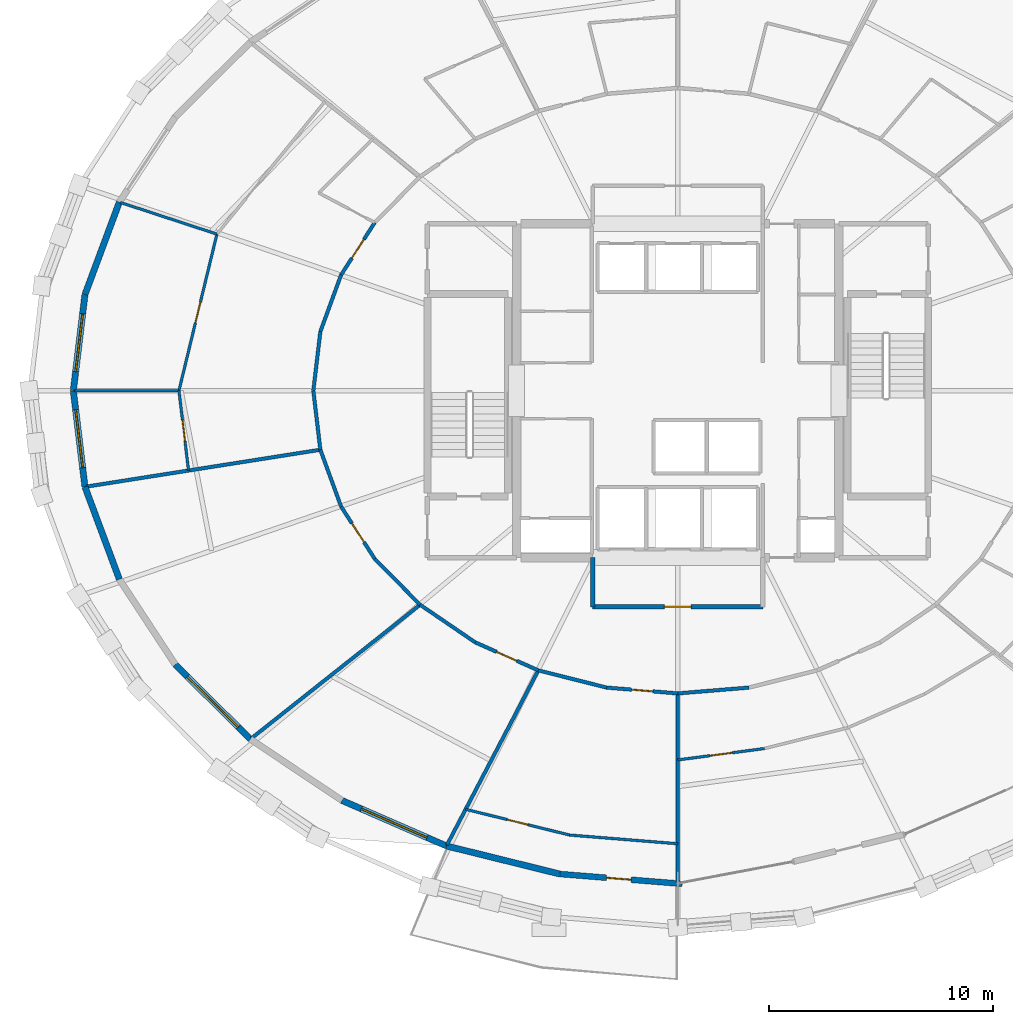
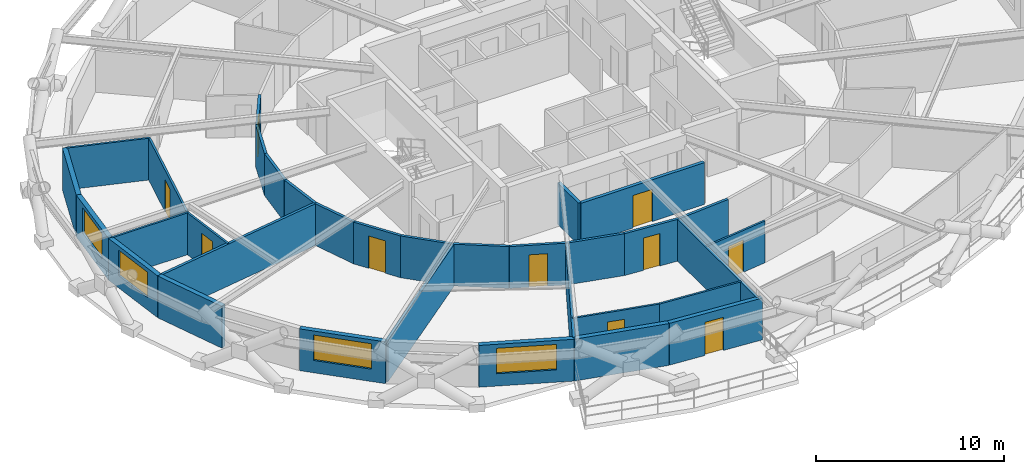
# One storey, part 9 of 14: 33 walls, 10 doors, 4 windows, 14 openings.
"""IFC4 building model written with IfcOpenShell, lengths in metres."""

from ifc_helpers import new_model, si_unit, direction, frame, frame_2d, origin, place, context, subcontext, project, spatial, rectangle, extrude, material, layer, layer_set, type_object, element, fill, save


model = new_model("IFC4")

# Units and contexts
model_context = context("Model", 3, precision=1e-05, world=origin(), true_north=direction((0.0, 1.0)))
body_context = subcontext(model_context, "Body", "Model", "MODEL_VIEW")
ifc_project = project(units=[si_unit("LENGTHUNIT", "METRE"), si_unit("AREAUNIT", "SQUARE_METRE"), si_unit("VOLUMEUNIT", "CUBIC_METRE"), si_unit("PLANEANGLEUNIT", "RADIAN"), si_unit("MASSUNIT", "GRAM", prefix="KILO")], contexts=[model_context])

# Site, building, storey
site_placement = place(None, origin())
site = spatial("IfcSite", under=ifc_project, at=site_placement, CompositionType="ELEMENT")
building_placement = place(site_placement, origin())
building = spatial("IfcBuilding", under=site, at=building_placement, Name="Veldorina Hangang Commons", CompositionType="ELEMENT")
storey_placement = place(building_placement, frame((0.0, 0.0, 88.0)))
storey = spatial("IfcBuildingStorey", under=building, at=storey_placement, Name="L22", CompositionType="ELEMENT", Elevation=88.0)

# Wall, opening, door
ifc_material_1 = material(Name="Stone Roman Travertine", Category="masonry")
ifc_layer_1 = layer(ifc_material_1, 0.260009765625)
ifc_layer_set_1 = layer_set([ifc_layer_1], Name="Stone Roman Travertine")
wall_type_1 = type_object("IfcWallType", Name="EW-LOGGIA-260", PredefinedType="STANDARD", material=ifc_layer_set_1)
wall_1_placement = place(storey_placement, frame((26.734130859375, 2.41650390625, 0.0), z_axis=(0.0, 0.0, 1.0), x_axis=(0.996792879397, -0.080024718573, 0.0)))
wall_1 = element("IfcWall", 1, at=wall_1_placement, inside=storey, type_object=wall_type_1, Name="L22 sky-garden loggia portal wall 23", PredefinedType="STANDARD", context=body_context, shape_type="SweptSolid", body=[
    extrude(rectangle(XDim=5.4853515625, YDim=0.260009765625, at=frame_2d((2.74267578125, 0.0))), origin(), (0.0, 0.0, 1.0), 2.7099609375),
])
opening_1_placement = place(wall_1_placement, frame((2.09130859375, 0.0, 0.0)))
opening_1 = element("IfcOpeningElement", 2, at=opening_1_placement, cuts=wall_1, Name="Opening BD-1100", PredefinedType="OPENING", context=body_context, shape_type="SweptSolid", body=[
    extrude(rectangle(XDim=1.10009765625, YDim=2.14990234375, at=frame_2d((0.550048828125, 1.074951171875))), frame((0.0, 0.14013671875, 0.0), z_axis=(0.0, -1.0, 0.0), x_axis=(1.0, 0.0, 0.0)), (0.0, 0.0, 1.0), 0.280029296875),
])
ifc_material_2 = material(Name="Glass Thermal Aluminium Frame", Category="aluminium")
door_type_1 = type_object("IfcDoorType", Name="DR-EXT-BAL1100", OperationType="SINGLE_SWING_RIGHT", PredefinedType="DOOR", material=ifc_material_2)
door_1_placement = place(opening_1_placement, origin())
door_1 = element("IfcDoor", 3, at=door_1_placement, inside=storey, type_object=door_type_1, Name="L22 tree balcony glazed exterior door 23", OperationType="SINGLE_SWING_RIGHT", OverallHeight=2.14990234375, OverallWidth=1.10009765625, PredefinedType="DOOR", context=body_context, shape_type="SweptSolid", body=[
    extrude(rectangle(XDim=1.10009765625, YDim=2.14990234375, at=frame_2d((0.550048828125, 1.074951171875))), frame((0.0, 0.02490234375, 0.0), z_axis=(0.0, -1.0, 0.0), x_axis=(1.0, 0.0, 0.0)), (0.0, 0.0, 1.0), 0.050048828125),
])
fill(opening_1, door_1)

# Wall
ifc_layer_2 = layer(ifc_material_1, 0.280029296875)
ifc_layer_set_2 = layer_set([ifc_layer_2], Name="Stone Roman Travertine")
wall_type_2 = type_object("IfcWallType", Name="EW-TRAV-280", PredefinedType="STANDARD", material=ifc_layer_set_2)
wall_2_placement = place(storey_placement, frame((7.06298828125, 32.42138671875, 0.0), z_axis=(0.0, 0.0, 1.0), x_axis=(-0.348747298865, -0.937216795376, 0.0)))
element("IfcWall", 4, at=wall_2_placement, inside=storey, type_object=wall_type_2, Name="L22 travertine facade wall 14", PredefinedType="STANDARD", context=body_context, shape_type="SweptSolid", body=[
    extrude(rectangle(XDim=4.40478515625, YDim=0.280029296875, at=frame_2d((2.202392578125, 0.0))), origin(), (0.0, 0.0, 1.0), 2.7099609375),
])

# Wall, opening, window
wall_3_placement = place(storey_placement, frame((5.52685546875, 28.293212890625, 0.0), z_axis=(0.0, 0.0, 1.0), x_axis=(-0.11991322244, -0.992784376934, 0.0)))
wall_3 = element("IfcWall", 5, at=wall_3_placement, inside=storey, type_object=wall_type_2, Name="L22 travertine facade wall 15", PredefinedType="STANDARD", context=body_context, shape_type="SweptSolid", body=[
    extrude(rectangle(XDim=4.324462890625, YDim=0.280029296875, at=frame_2d((2.162109375, 0.0))), origin(), (0.0, 0.0, 1.0), 2.7099609375),
])
opening_2_placement = place(wall_3_placement, frame((0.8623046875, 0.0, 0.800048828125)))
opening_2 = element("IfcOpeningElement", 6, at=opening_2_placement, cuts=wall_3, Name="Opening W-02", PredefinedType="OPENING", context=body_context, shape_type="SweptSolid", body=[
    extrude(rectangle(XDim=2.60009765625, YDim=1.64990234375, at=frame_2d((1.300048828125, 0.824951171875))), frame((0.0, 0.14990234375, 0.0), z_axis=(0.0, -1.0, 0.0), x_axis=(1.0, 0.0, 0.0)), (0.0, 0.0, 1.0), 0.300048828125),
])
ifc_material_3 = material(Name="Glass Low-E Triple IGU", Category="glass")
window_type_1 = type_object("IfcWindowType", Name="WIN-TWR-2600", PartitioningType="SINGLE_PANEL", PredefinedType="WINDOW", material=ifc_material_3)
window_1_placement = place(opening_2_placement, origin())
window_1 = element("IfcWindow", 7, at=window_1_placement, inside=storey, type_object=window_type_1, Name="L22 facade window 15", OverallHeight=1.64990234375, OverallWidth=2.60009765625, PartitioningType="SINGLE_PANEL", PredefinedType="WINDOW", context=body_context, shape_type="SweptSolid", body=[
    extrude(rectangle(XDim=2.60009765625, YDim=1.64990234375, at=frame_2d((1.300048828125, 0.824951171875))), frame((0.0, 0.030029296875, 0.0), z_axis=(0.0, -1.0, 0.0), x_axis=(1.0, 0.0, 0.0)), (0.0, 0.0, 1.0), 0.06005859375),
])
fill(opening_2, window_1)

wall_4_placement = place(storey_placement, frame((5.00830078125, 24.0, 0.0), z_axis=(0.0, 0.0, 1.0), x_axis=(0.11991322244, -0.992784376934, 0.0)))
wall_4 = element("IfcWall", 8, at=wall_4_placement, inside=storey, type_object=wall_type_2, Name="L22 travertine facade wall 16", PredefinedType="STANDARD", context=body_context, shape_type="SweptSolid", body=[
    extrude(rectangle(XDim=4.324462890625, YDim=0.280029296875, at=frame_2d((2.162109375, 0.0))), origin(), (0.0, 0.0, 1.0), 2.7099609375),
])
opening_3_placement = place(wall_4_placement, frame((0.8623046875, 0.0, 0.800048828125)))
opening_3 = element("IfcOpeningElement", 9, at=opening_3_placement, cuts=wall_4, Name="Opening W-02", PredefinedType="OPENING", context=body_context, shape_type="SweptSolid", body=[
    extrude(rectangle(XDim=2.60009765625, YDim=1.64990234375, at=frame_2d((1.300048828125, 0.824951171875))), frame((0.0, 0.14990234375, 0.0), z_axis=(0.0, -1.0, 0.0), x_axis=(1.0, 0.0, 0.0)), (0.0, 0.0, 1.0), 0.300048828125),
])
window_2_placement = place(opening_3_placement, origin())
window_2 = element("IfcWindow", 10, at=window_2_placement, inside=storey, type_object=window_type_1, Name="L22 facade window 16", OverallHeight=1.64990234375, OverallWidth=2.60009765625, PartitioningType="SINGLE_PANEL", PredefinedType="WINDOW", context=body_context, shape_type="SweptSolid", body=[
    extrude(rectangle(XDim=2.60009765625, YDim=1.64990234375, at=frame_2d((1.300048828125, 0.824951171875))), frame((0.0, 0.030029296875, 0.0), z_axis=(0.0, -1.0, 0.0), x_axis=(1.0, 0.0, 0.0)), (0.0, 0.0, 1.0), 0.06005859375),
])
fill(opening_3, window_2)

# Wall
wall_5_placement = place(storey_placement, frame((5.52685546875, 19.706787109375, 0.0), z_axis=(0.0, 0.0, 1.0), x_axis=(0.348747298865, -0.937216795376, 0.0)))
element("IfcWall", 11, at=wall_5_placement, inside=storey, type_object=wall_type_2, Name="L22 travertine facade wall 17", PredefinedType="STANDARD", context=body_context, shape_type="SweptSolid", body=[
    extrude(rectangle(XDim=4.40478515625, YDim=0.280029296875, at=frame_2d((2.202392578125, 0.0))), origin(), (0.0, 0.0, 1.0), 2.7099609375),
])

# Wall, opening, window
wall_6_placement = place(storey_placement, frame((9.55712890625, 11.77392578125, 0.0), z_axis=(0.0, 0.0, 1.0), x_axis=(0.709450520297, -0.704755247763, 0.0)))
wall_6 = element("IfcWall", 12, at=wall_6_placement, inside=storey, type_object=wall_type_2, Name="L22 travertine facade wall 19", PredefinedType="STANDARD", context=body_context, shape_type="SweptSolid", body=[
    extrude(rectangle(XDim=4.731689453125, YDim=0.280029296875, at=frame_2d((2.36572265625, 0.0))), origin(), (0.0, 0.0, 1.0), 2.7099609375),
])
opening_4_placement = place(wall_6_placement, frame((0.765869140625, 0.0, 0.800048828125)))
opening_4 = element("IfcOpeningElement", 13, at=opening_4_placement, cuts=wall_6, Name="Opening W-01", PredefinedType="OPENING", context=body_context, shape_type="SweptSolid", body=[
    extrude(rectangle(XDim=3.199951171875, YDim=1.64990234375, at=frame_2d((1.60009765625, 0.824951171875))), frame((0.0, 0.14990234375, 0.0), z_axis=(0.0, -1.0, 0.0), x_axis=(1.0, 0.0, 0.0)), (0.0, 0.0, 1.0), 0.300048828125),
])
window_type_2 = type_object("IfcWindowType", Name="WIN-TWR-3200", PartitioningType="SINGLE_PANEL", PredefinedType="WINDOW", material=ifc_material_3)
window_3_placement = place(opening_4_placement, origin())
window_3 = element("IfcWindow", 14, at=window_3_placement, inside=storey, type_object=window_type_2, Name="L22 facade window 19", OverallHeight=1.64990234375, OverallWidth=3.199951171875, PartitioningType="SINGLE_PANEL", PredefinedType="WINDOW", context=body_context, shape_type="SweptSolid", body=[
    extrude(rectangle(XDim=3.199951171875, YDim=1.64990234375, at=frame_2d((1.60009765625, 0.824951171875))), frame((0.0, 0.030029296875, 0.0), z_axis=(0.0, -1.0, 0.0), x_axis=(1.0, 0.0, 0.0)), (0.0, 0.0, 1.0), 0.06005859375),
])
fill(opening_4, window_3)

wall_7_placement = place(storey_placement, frame((17.004150390625, 5.702392578125, 0.0), z_axis=(0.0, 0.0, 1.0), x_axis=(0.916744158445, -0.399474840205, 0.0)))
wall_7 = element("IfcWall", 15, at=wall_7_placement, inside=storey, type_object=wall_type_2, Name="L22 travertine facade wall 21", PredefinedType="STANDARD", context=body_context, shape_type="SweptSolid", body=[
    extrude(rectangle(XDim=5.09033203125, YDim=0.280029296875, at=frame_2d((2.545166015625, 0.0))), origin(), (0.0, 0.0, 1.0), 2.7099609375),
])
opening_5_placement = place(wall_7_placement, frame((0.9453125, 0.0, 0.800048828125)))
opening_5 = element("IfcOpeningElement", 16, at=opening_5_placement, cuts=wall_7, Name="Opening W-01", PredefinedType="OPENING", context=body_context, shape_type="SweptSolid", body=[
    extrude(rectangle(XDim=3.199951171875, YDim=1.64990234375, at=frame_2d((1.60009765625, 0.824951171875))), frame((0.0, 0.14990234375, 0.0), z_axis=(0.0, -1.0, 0.0), x_axis=(1.0, 0.0, 0.0)), (0.0, 0.0, 1.0), 0.300048828125),
])
window_4_placement = place(opening_5_placement, origin())
window_4 = element("IfcWindow", 17, at=window_4_placement, inside=storey, type_object=window_type_2, Name="L22 facade window 21", OverallHeight=1.64990234375, OverallWidth=3.199951171875, PartitioningType="SINGLE_PANEL", PredefinedType="WINDOW", context=body_context, shape_type="SweptSolid", body=[
    extrude(rectangle(XDim=3.199951171875, YDim=1.64990234375, at=frame_2d((1.60009765625, 0.824951171875))), frame((0.0, 0.030029296875, 0.0), z_axis=(0.0, -1.0, 0.0), x_axis=(1.0, 0.0, 0.0)), (0.0, 0.0, 1.0), 0.06005859375),
])
fill(opening_5, window_4)

# Wall
wall_8_placement = place(storey_placement, frame((21.670654296875, 3.6689453125, 0.0), z_axis=(0.0, 0.0, 1.0), x_axis=(0.970745192344, -0.240111997913, 0.0)))
element("IfcWall", 18, at=wall_8_placement, inside=storey, type_object=wall_type_2, Name="L22 travertine facade wall 22", PredefinedType="STANDARD", context=body_context, shape_type="SweptSolid", body=[
    extrude(rectangle(XDim=5.216064453125, YDim=0.280029296875, at=frame_2d((2.60791015625, 0.0))), origin(), (0.0, 0.0, 1.0), 2.7099609375),
])

# Wall, opening, door
ifc_material_4 = material(Name="Gypsum Fire-Rated Twin Stud Wall", Category="gypsum")
ifc_layer_3 = layer(ifc_material_4, 0.159912109375)
ifc_layer_set_3 = layer_set([ifc_layer_3], Name="Gypsum Fire-Rated Twin Stud Wall")
wall_type_3 = type_object("IfcWallType", Name="WL-FIRE-160", PredefinedType="SOLIDWALL", material=ifc_layer_set_3)
wall_9_placement = place(storey_placement, frame((18.46875, 31.51025390625, 0.0), z_axis=(0.0, 0.0, 1.0), x_axis=(-0.541126045017, -0.840941498206, 0.0)))
wall_9 = element("IfcWall", 19, at=wall_9_placement, inside=storey, type_object=wall_type_3, Name="L22 Corridor outer wall 13 060", PredefinedType="SOLIDWALL", context=body_context, shape_type="SweptSolid", body=[
    extrude(rectangle(XDim=2.779296875, YDim=0.159912109375, at=frame_2d((1.3896484375, 0.0))), origin(), (0.0, 0.0, 1.0), 2.7099609375),
])
opening_6_placement = place(wall_9_placement, frame((0.8896484375, 0.0, 0.0)))
opening_6 = element("IfcOpeningElement", 20, at=opening_6_placement, cuts=wall_9, Name="Opening D-06", PredefinedType="OPENING", context=body_context, shape_type="SweptSolid", body=[
    extrude(rectangle(XDim=1.0, YDim=2.10009765625, at=frame_2d((0.5, 1.050048828125))), frame((0.0, 0.08984375, 0.0), z_axis=(0.0, -1.0, 0.0), x_axis=(1.0, 0.0, 0.0)), (0.0, 0.0, 1.0), 0.179931640625),
])
ifc_material_5 = material(Name="Timber Fire-Rated Entrance Core", Category="wood")
door_type_2 = type_object("IfcDoorType", Name="DR-UNIT-1000", OperationType="SINGLE_SWING_LEFT", PredefinedType="DOOR", material=ifc_material_5)
door_2_placement = place(opening_6_placement, origin())
door_2 = element("IfcDoor", 21, at=door_2_placement, inside=storey, type_object=door_type_2, Name="L22 Cluster 10 entrance door 040", OperationType="SINGLE_SWING_RIGHT", OverallHeight=2.10009765625, OverallWidth=1.0, PredefinedType="DOOR", context=body_context, shape_type="SweptSolid", body=[
    extrude(rectangle(XDim=1.0, YDim=2.10009765625, at=frame_2d((0.5, 1.050048828125))), frame((0.0, 0.02490234375, 0.0), z_axis=(0.0, -1.0, 0.0), x_axis=(1.0, 0.0, 0.0)), (0.0, 0.0, 1.0), 0.050048828125),
])
fill(opening_6, door_2)

# Walls
wall_10_placement = place(storey_placement, frame((16.96484375, 29.173095703125, 0.0), z_axis=(0.0, 0.0, 1.0), x_axis=(-0.343013437329, -0.939330496583, 0.0)))
element("IfcWall", 22, at=wall_10_placement, inside=storey, type_object=wall_type_3, Name="L22 Corridor outer wall 14 061", PredefinedType="SOLIDWALL", context=body_context, shape_type="SweptSolid", body=[
    extrude(rectangle(XDim=2.69970703125, YDim=0.159912109375, at=frame_2d((1.349853515625, 0.0))), origin(), (0.0, 0.0, 1.0), 2.7099609375),
])
for number, where, z_axis, x_axis, name in (
    (23, (16.038818359375, 26.63720703125, 0.0), (0.0, 0.0, 1.0), (-0.117763961213, -0.99304161516, 0.0), "L22 Corridor outer wall 15 062"),
    (24, (15.72607421875, 24.0, 0.0), (0.0, 0.0, 1.0), (0.117763961213, -0.99304161516, 0.0), "L22 Corridor outer wall 16 063"),
):
    element("IfcWall", number, at=place(storey_placement, frame(where, z_axis=z_axis, x_axis=x_axis)), inside=storey, type_object=wall_type_3, Name=name, PredefinedType="SOLIDWALL", context=body_context, shape_type="SweptSolid", body=[
        extrude(rectangle(XDim=2.65576171875, YDim=0.159912109375, at=frame_2d((1.327880859375, 0.0))), origin(), (0.0, 0.0, 1.0), 2.7099609375),
    ])
wall_11_placement = place(storey_placement, frame((16.038818359375, 21.36279296875, 0.0), z_axis=(0.0, 0.0, 1.0), x_axis=(0.343013437329, -0.939330496583, 0.0)))
element("IfcWall", 25, at=wall_11_placement, inside=storey, type_object=wall_type_3, Name="L22 Corridor outer wall 17 064", PredefinedType="SOLIDWALL", context=body_context, shape_type="SweptSolid", body=[
    extrude(rectangle(XDim=2.69970703125, YDim=0.159912109375, at=frame_2d((1.349853515625, 0.0))), origin(), (0.0, 0.0, 1.0), 2.7099609375),
])

# Wall, opening, door
wall_12_placement = place(storey_placement, frame((16.96484375, 18.826904296875, 0.0), z_axis=(0.0, 0.0, 1.0), x_axis=(0.541126045017, -0.840941498206, 0.0)))
wall_12 = element("IfcWall", 26, at=wall_12_placement, inside=storey, type_object=wall_type_3, Name="L22 Corridor outer wall 18 065", PredefinedType="SOLIDWALL", context=body_context, shape_type="SweptSolid", body=[
    extrude(rectangle(XDim=2.779296875, YDim=0.159912109375, at=frame_2d((1.3896484375, 0.0))), origin(), (0.0, 0.0, 1.0), 2.7099609375),
])
opening_7_placement = place(wall_12_placement, frame((0.8896484375, 0.0, 0.0)))
opening_7 = element("IfcOpeningElement", 27, at=opening_7_placement, cuts=wall_12, Name="Opening D-05", PredefinedType="OPENING", context=body_context, shape_type="SweptSolid", body=[
    extrude(rectangle(XDim=1.0, YDim=2.10009765625, at=frame_2d((0.5, 1.050048828125))), frame((0.0, 0.08984375, 0.0), z_axis=(0.0, -1.0, 0.0), x_axis=(1.0, 0.0, 0.0)), (0.0, 0.0, 1.0), 0.179931640625),
])
ifc_material_6 = material(Name="Timber Solid Core Acoustic", Category="wood")
door_type_3 = type_object("IfcDoorType", Name="DR-INT-1000", OperationType="SINGLE_SWING_RIGHT", PredefinedType="DOOR", material=ifc_material_6)
door_3_placement = place(opening_7_placement, origin())
door_3 = element("IfcDoor", 28, at=door_3_placement, inside=storey, type_object=door_type_3, Name="L22 Floor Study Room 11 door 044", OperationType="SINGLE_SWING_RIGHT", OverallHeight=2.10009765625, OverallWidth=1.0, PredefinedType="DOOR", context=body_context, shape_type="SweptSolid", body=[
    extrude(rectangle(XDim=1.0, YDim=2.10009765625, at=frame_2d((0.5, 1.050048828125))), frame((0.0, 0.02490234375, 0.0), z_axis=(0.0, -1.0, 0.0), x_axis=(1.0, 0.0, 0.0)), (0.0, 0.0, 1.0), 0.050048828125),
])
fill(opening_7, door_3)

# Walls
wall_13_placement = place(storey_placement, frame((18.46875, 16.48974609375, 0.0), z_axis=(0.0, 0.0, 1.0), x_axis=(0.702811997, -0.711375636969, 0.0)))
element("IfcWall", 29, at=wall_13_placement, inside=storey, type_object=wall_type_3, Name="L22 Corridor outer wall 19 066", PredefinedType="SOLIDWALL", context=body_context, shape_type="SweptSolid", body=[
    extrude(rectangle(XDim=2.87939453125, YDim=0.159912109375, at=frame_2d((1.439697265625, 0.0))), origin(), (0.0, 0.0, 1.0), 2.7099609375),
])
wall_14_placement = place(storey_placement, frame((20.492431640625, 14.44140625, 0.0), z_axis=(0.0, 0.0, 1.0), x_axis=(0.826293096206, -0.56324037423, 0.0)))
element("IfcWall", 30, at=wall_14_placement, inside=storey, type_object=wall_type_3, Name="L22 Corridor outer wall 20 067", PredefinedType="SOLIDWALL", context=body_context, shape_type="SweptSolid", body=[
    extrude(rectangle(XDim=2.98486328125, YDim=0.159912109375, at=frame_2d((1.492431640625, 0.0))), origin(), (0.0, 0.0, 1.0), 2.7099609375),
])

# Wall, opening, door
wall_15_placement = place(storey_placement, frame((22.958740234375, 12.76025390625, 0.0), z_axis=(0.0, 0.0, 1.0), x_axis=(0.913952123493, -0.405822024984, 0.0)))
wall_15 = element("IfcWall", 31, at=wall_15_placement, inside=storey, type_object=wall_type_3, Name="L22 Corridor outer wall 21 068", PredefinedType="SOLIDWALL", context=body_context, shape_type="SweptSolid", body=[
    extrude(rectangle(XDim=3.078369140625, YDim=0.159912109375, at=frame_2d((1.5390625, 0.0))), origin(), (0.0, 0.0, 1.0), 2.7099609375),
])
opening_8_placement = place(wall_15_placement, frame((1.039306640625, 0.0, 0.0)))
opening_8 = element("IfcOpeningElement", 32, at=opening_8_placement, cuts=wall_15, Name="Opening D-05", PredefinedType="OPENING", context=body_context, shape_type="SweptSolid", body=[
    extrude(rectangle(XDim=1.0, YDim=2.10009765625, at=frame_2d((0.5, 1.050048828125))), frame((0.0, 0.08984375, 0.0), z_axis=(0.0, -1.0, 0.0), x_axis=(1.0, 0.0, 0.0)), (0.0, 0.0, 1.0), 0.179931640625),
])
door_4_placement = place(opening_8_placement, origin())
door_4 = element("IfcDoor", 33, at=door_4_placement, inside=storey, type_object=door_type_3, Name="L22 Seminar Focus Room 12 door 045", OperationType="SINGLE_SWING_LEFT", OverallHeight=2.10009765625, OverallWidth=1.0, PredefinedType="DOOR", context=body_context, shape_type="SweptSolid", body=[
    extrude(rectangle(XDim=1.0, YDim=2.10009765625, at=frame_2d((0.5, 1.050048828125))), frame((0.0, 0.02490234375, 0.0), z_axis=(0.0, -1.0, 0.0), x_axis=(1.0, 0.0, 0.0)), (0.0, 0.0, 1.0), 0.050048828125),
])
fill(opening_8, door_4)

# Wall
wall_16_placement = place(storey_placement, frame((25.772216796875, 11.510986328125, 0.0), z_axis=(0.0, 0.0, 1.0), x_axis=(0.969689238064, -0.244341526521, 0.0)))
element("IfcWall", 34, at=wall_16_placement, inside=storey, type_object=wall_type_3, Name="L22 Corridor outer wall 22 069", PredefinedType="SOLIDWALL", context=body_context, shape_type="SweptSolid", body=[
    extrude(rectangle(XDim=3.1484375, YDim=0.159912109375, at=frame_2d((1.57421875, 0.0))), origin(), (0.0, 0.0, 1.0), 2.7099609375),
])

# Wall, opening, door
wall_17_placement = place(storey_placement, frame((28.8251953125, 10.74169921875, 0.0), z_axis=(0.0, 0.0, 1.0), x_axis=(0.996669377538, -0.081548463373, 0.0)))
wall_17 = element("IfcWall", 35, at=wall_17_placement, inside=storey, type_object=wall_type_3, Name="L22 Corridor outer wall 23 070", PredefinedType="SOLIDWALL", context=body_context, shape_type="SweptSolid", body=[
    extrude(rectangle(XDim=3.185302734375, YDim=0.159912109375, at=frame_2d((1.5927734375, 0.0))), origin(), (0.0, 0.0, 1.0), 2.7099609375),
])
opening_9_placement = place(wall_17_placement, frame((1.117919921875, 0.0, 0.0)))
opening_9 = element("IfcOpeningElement", 36, at=opening_9_placement, cuts=wall_17, Name="Opening D-02", PredefinedType="OPENING", context=body_context, shape_type="SweptSolid", body=[
    extrude(rectangle(XDim=0.949951171875, YDim=2.10009765625, at=frame_2d((0.47509765625, 1.050048828125))), frame((0.0, 0.08984375, 0.0), z_axis=(0.0, -1.0, 0.0), x_axis=(1.0, 0.0, 0.0)), (0.0, 0.0, 1.0), 0.179931640625),
])
door_type_4 = type_object("IfcDoorType", Name="DR-INT-950", OperationType="SINGLE_SWING_LEFT", PredefinedType="DOOR", material=ifc_material_6)
door_5_placement = place(opening_9_placement, origin())
door_5 = element("IfcDoor", 37, at=door_5_placement, inside=storey, type_object=door_type_4, Name="L22 Linen drying store door 046", OperationType="SINGLE_SWING_RIGHT", OverallHeight=2.10009765625, OverallWidth=0.949951171875, PredefinedType="DOOR", context=body_context, shape_type="SweptSolid", body=[
    extrude(rectangle(XDim=0.949951171875, YDim=2.10009765625, at=frame_2d((0.47509765625, 1.050048828125))), frame((0.0, 0.02490234375, 0.0), z_axis=(0.0, -1.0, 0.0), x_axis=(1.0, 0.0, 0.0)), (0.0, 0.0, 1.0), 0.050048828125),
])
fill(opening_9, door_5)

# Walls
wall_18_placement = place(storey_placement, frame((32.0, 10.48193359375, 0.0), z_axis=(0.0, 0.0, 1.0), x_axis=(0.996669377538, 0.081548463373, 0.0)))
element("IfcWall", 38, at=wall_18_placement, inside=storey, type_object=wall_type_3, Name="L22 Corridor outer wall 24 071", PredefinedType="SOLIDWALL", context=body_context, shape_type="SweptSolid", body=[
    extrude(rectangle(XDim=3.185302734375, YDim=0.159912109375, at=frame_2d((1.5927734375, 0.0))), origin(), (0.0, 0.0, 1.0), 2.7099609375),
])
wall_19_placement = place(storey_placement, frame((32.0, 10.48193359375, 0.0), z_axis=(0.0, 0.0, 1.0), x_axis=(0.0, -1.0, 0.0)))
element("IfcWall", 39, at=wall_19_placement, inside=storey, type_object=wall_type_3, Name="L22 Unit party wall 24 079", PredefinedType="SOLIDWALL", context=body_context, shape_type="SweptSolid", body=[
    extrude(rectangle(XDim=8.438232421875, YDim=0.159912109375, at=frame_2d((4.21923828125, 0.0))), origin(), (0.0, 0.0, 1.0), 2.7099609375),
])
wall_20_placement = place(storey_placement, frame((16.038818359375, 21.36279296875, 0.0), z_axis=(0.0, 0.0, 1.0), x_axis=(-0.987817665594, -0.155615743231, 0.0)))
element("IfcWall", 40, at=wall_20_placement, inside=storey, type_object=wall_type_3, Name="L22 Unit party wall 17 116", PredefinedType="SOLIDWALL", context=body_context, shape_type="SweptSolid", body=[
    extrude(rectangle(XDim=10.591552734375, YDim=0.159912109375, at=frame_2d((5.2958984375, 0.0))), origin(), (0.0, 0.0, 1.0), 2.7099609375),
])
wall_21_placement = place(storey_placement, frame((20.492431640625, 14.44140625, 0.0), z_axis=(0.0, 0.0, 1.0), x_axis=(-0.783915576776, -0.620867432298, 0.0)))
element("IfcWall", 41, at=wall_21_placement, inside=storey, type_object=wall_type_3, Name="L22 Unit party wall 20 117", PredefinedType="SOLIDWALL", context=body_context, shape_type="SweptSolid", body=[
    extrude(rectangle(XDim=9.617431640625, YDim=0.159912109375, at=frame_2d((4.80859375, 0.0))), origin(), (0.0, 0.0, 1.0), 2.7099609375),
])
wall_22_placement = place(storey_placement, frame((25.772216796875, 11.510986328125, 0.0), z_axis=(0.0, 0.0, 1.0), x_axis=(-0.463452284004, -0.886121876748, 0.0)))
element("IfcWall", 42, at=wall_22_placement, inside=storey, type_object=wall_type_3, Name="L22 Unit party wall 22 118", PredefinedType="SOLIDWALL", context=body_context, shape_type="SweptSolid", body=[
    extrude(rectangle(XDim=8.800048828125, YDim=0.159912109375, at=frame_2d((4.39990234375, 0.0))), origin(), (0.0, 0.0, 1.0), 2.7099609375),
])
ifc_material_7 = material(Name="Concrete Blockwork Fire Wall C30/37", Category="masonry")
ifc_layer_4 = layer(ifc_material_7, 0.199951171875)
ifc_layer_set_4 = layer_set([ifc_layer_4], Name="Concrete Blockwork Fire Wall C30/37")
wall_type_4 = type_object("IfcWallType", Name="WL-FIRE-200", PredefinedType="SOLIDWALL", material=ifc_layer_set_4)
wall_23_placement = place(storey_placement, frame((28.199951171875, 14.35009765625, 0.0), z_axis=(0.0, 0.0, 1.0), x_axis=(0.0, 1.0, 0.0)))
element("IfcWall", 43, at=wall_23_placement, inside=storey, type_object=wall_type_4, Name="L22 FF lobby west wall 012", PredefinedType="SOLIDWALL", context=body_context, shape_type="SweptSolid", body=[
    extrude(rectangle(XDim=2.199951171875, YDim=0.199951171875, at=frame_2d((1.10009765625, 0.0))), origin(), (0.0, 0.0, 1.0), 2.7099609375),
])

# Wall, opening, door
wall_24_placement = place(storey_placement, frame((28.199951171875, 14.35009765625, 0.0), z_axis=(0.0, 0.0, 1.0), x_axis=(1.0, 0.0, 0.0)))
wall_24 = element("IfcWall", 44, at=wall_24_placement, inside=storey, type_object=wall_type_4, Name="L22 FF lobby south wall 014", PredefinedType="SOLIDWALL", context=body_context, shape_type="SweptSolid", body=[
    extrude(rectangle(XDim=7.60009765625, YDim=0.199951171875, at=frame_2d((3.800048828125, 0.0))), origin(), (0.0, 0.0, 1.0), 2.7099609375),
])
opening_10_placement = place(wall_24_placement, frame((3.199951171875, 0.0, 0.0)))
opening_10 = element("IfcOpeningElement", 45, at=opening_10_placement, cuts=wall_24, Name="Opening D-09", PredefinedType="OPENING", context=body_context, shape_type="SweptSolid", body=[
    extrude(rectangle(XDim=1.199951171875, YDim=2.10009765625, at=frame_2d((0.60009765625, 1.050048828125))), frame((0.0, 0.10986328125, 0.0), z_axis=(0.0, -1.0, 0.0), x_axis=(1.0, 0.0, 0.0)), (0.0, 0.0, 1.0), 0.219970703125),
])
ifc_material_8 = material(Name="Steel Fire-Rated Corridor Door", Category="steel")
door_type_5 = type_object("IfcDoorType", Name="DR-FIRE-1200", OperationType="SINGLE_SWING_LEFT", PredefinedType="DOOR", material=ifc_material_8)
door_6_placement = place(opening_10_placement, origin())
door_6 = element("IfcDoor", 46, at=door_6_placement, inside=storey, type_object=door_type_5, Name="L22 FF lobby south corridor door 005", OperationType="SINGLE_SWING_LEFT", OverallHeight=2.10009765625, OverallWidth=1.199951171875, PredefinedType="DOOR", context=body_context, shape_type="SweptSolid", body=[
    extrude(rectangle(XDim=1.199951171875, YDim=2.10009765625, at=frame_2d((0.60009765625, 1.050048828125))), frame((0.0, 0.02490234375, 0.0), z_axis=(0.0, -1.0, 0.0), x_axis=(1.0, 0.0, 0.0)), (0.0, 0.0, 1.0), 0.050048828125),
])
fill(opening_10, door_6)

ifc_material_9 = material(Name="Gypsum Acoustic Stud Partition", Category="gypsum")
ifc_layer_5 = layer(ifc_material_9, 0.1201171875)
ifc_layer_set_5 = layer_set([ifc_layer_5], Name="Gypsum Acoustic Stud Partition")
wall_type_5 = type_object("IfcWallType", Name="WL-PART-120", PredefinedType="PARTITIONING", material=ifc_layer_set_5)
wall_25_placement = place(storey_placement, frame((32.0, 7.510986328125, 0.0), z_axis=(0.0, 0.0, 1.0), x_axis=(0.991445135258, 0.130524111843, 0.0)))
wall_25 = element("IfcWall", 47, at=wall_25_placement, inside=storey, type_object=wall_type_5, Name="L22 Lounge alcove split 0 080", PredefinedType="PARTITIONING", context=body_context, shape_type="SweptSolid", body=[
    extrude(rectangle(XDim=3.90185546875, YDim=0.1201171875, at=frame_2d((1.950927734375, 0.0))), origin(), (0.0, 0.0, 1.0), 2.7099609375),
])
opening_11_placement = place(wall_25_placement, frame((1.450927734375, 0.0, 0.0)))
opening_11 = element("IfcOpeningElement", 48, at=opening_11_placement, cuts=wall_25, Name="Opening D-05", PredefinedType="OPENING", context=body_context, shape_type="SweptSolid", body=[
    extrude(rectangle(XDim=1.0, YDim=2.10009765625, at=frame_2d((0.5, 1.050048828125))), frame((0.0, 0.070068359375, 0.0), z_axis=(0.0, -1.0, 0.0), x_axis=(1.0, 0.0, 0.0)), (0.0, 0.0, 1.0), 0.14013671875),
])
door_7_placement = place(opening_11_placement, origin())
door_7 = element("IfcDoor", 49, at=door_7_placement, inside=storey, type_object=door_type_3, Name="L22 Commons lounge door 022", OperationType="SINGLE_SWING_RIGHT", OverallHeight=2.10009765625, OverallWidth=1.0, PredefinedType="DOOR", context=body_context, shape_type="SweptSolid", body=[
    extrude(rectangle(XDim=1.0, YDim=2.10009765625, at=frame_2d((0.5, 1.050048828125))), frame((0.0, 0.02490234375, 0.0), z_axis=(0.0, -1.0, 0.0), x_axis=(1.0, 0.0, 0.0)), (0.0, 0.0, 1.0), 0.050048828125),
])
fill(opening_11, door_7)

wall_26_placement = place(storey_placement, frame((11.419677734375, 30.9921875, 0.0), z_axis=(0.0, 0.0, 1.0), x_axis=(-0.235663152455, -0.971834800043, 0.0)))
wall_26 = element("IfcWall", 50, at=wall_26_placement, inside=storey, type_object=wall_type_5, Name="L22 Cluster 10 bed 2 front wall 112", PredefinedType="PARTITIONING", context=body_context, shape_type="SweptSolid", body=[
    extrude(rectangle(XDim=7.19482421875, YDim=0.1201171875, at=frame_2d((3.597412109375, 0.0))), origin(), (0.0, 0.0, 1.0), 2.7099609375),
])
opening_12_placement = place(wall_26_placement, frame((3.122314453125, 0.0, 0.0)))
opening_12 = element("IfcOpeningElement", 51, at=opening_12_placement, cuts=wall_26, Name="Opening D-02", PredefinedType="OPENING", context=body_context, shape_type="SweptSolid", body=[
    extrude(rectangle(XDim=0.949951171875, YDim=2.10009765625, at=frame_2d((0.47509765625, 1.050048828125))), frame((0.0, 0.070068359375, 0.0), z_axis=(0.0, -1.0, 0.0), x_axis=(1.0, 0.0, 0.0)), (0.0, 0.0, 1.0), 0.14013671875),
])
door_8_placement = place(opening_12_placement, origin())
door_8 = element("IfcDoor", 52, at=door_8_placement, inside=storey, type_object=door_type_4, Name="L22 Cluster 10 bed 2 door 042", OperationType="SINGLE_SWING_RIGHT", OverallHeight=2.10009765625, OverallWidth=0.949951171875, PredefinedType="DOOR", context=body_context, shape_type="SweptSolid", body=[
    extrude(rectangle(XDim=0.949951171875, YDim=2.10009765625, at=frame_2d((0.47509765625, 1.050048828125))), frame((0.0, 0.02490234375, 0.0), z_axis=(0.0, -1.0, 0.0), x_axis=(1.0, 0.0, 0.0)), (0.0, 0.0, 1.0), 0.050048828125),
])
fill(opening_12, door_8)

# Wall
wall_27_placement = place(storey_placement, frame((11.419677734375, 30.9921875, 0.0), z_axis=(0.0, 0.0, 1.0), x_axis=(-0.950185117796, 0.311686127247, 0.0)))
element("IfcWall", 53, at=wall_27_placement, inside=storey, type_object=wall_type_5, Name="L22 Cluster 10 bed divider 1 113", PredefinedType="PARTITIONING", context=body_context, shape_type="SweptSolid", body=[
    extrude(rectangle(XDim=4.53515625, YDim=0.1201171875, at=frame_2d((2.267578125, 0.0))), origin(), (0.0, 0.0, 1.0), 2.7099609375),
])

# Wall, opening, door
wall_28_placement = place(storey_placement, frame((9.72412109375, 24.0, 0.0), z_axis=(0.0, 0.0, 1.0), x_axis=(0.119204211049, -0.992869757858, 0.0)))
wall_28 = element("IfcWall", 54, at=wall_28_placement, inside=storey, type_object=wall_type_5, Name="L22 Cluster 10 bed 3 front wall 114", PredefinedType="PARTITIONING", context=body_context, shape_type="SweptSolid", body=[
    extrude(rectangle(XDim=3.59033203125, YDim=0.1201171875, at=frame_2d((1.795166015625, 0.0))), origin(), (0.0, 0.0, 1.0), 2.7099609375),
])
opening_13_placement = place(wall_28_placement, frame((1.320068359375, 0.0, 0.0)))
opening_13 = element("IfcOpeningElement", 55, at=opening_13_placement, cuts=wall_28, Name="Opening D-02", PredefinedType="OPENING", context=body_context, shape_type="SweptSolid", body=[
    extrude(rectangle(XDim=0.949951171875, YDim=2.10009765625, at=frame_2d((0.47509765625, 1.050048828125))), frame((0.0, 0.070068359375, 0.0), z_axis=(0.0, -1.0, 0.0), x_axis=(1.0, 0.0, 0.0)), (0.0, 0.0, 1.0), 0.14013671875),
])
door_9_placement = place(opening_13_placement, origin())
door_9 = element("IfcDoor", 56, at=door_9_placement, inside=storey, type_object=door_type_4, Name="L22 Cluster 10 bed 3 door 043", OperationType="SINGLE_SWING_LEFT", OverallHeight=2.10009765625, OverallWidth=0.949951171875, PredefinedType="DOOR", context=body_context, shape_type="SweptSolid", body=[
    extrude(rectangle(XDim=0.949951171875, YDim=2.10009765625, at=frame_2d((0.47509765625, 1.050048828125))), frame((0.0, 0.02490234375, 0.0), z_axis=(0.0, -1.0, 0.0), x_axis=(1.0, 0.0, 0.0)), (0.0, 0.0, 1.0), 0.050048828125),
])
fill(opening_13, door_9)

# Wall
wall_29_placement = place(storey_placement, frame((9.72412109375, 24.0, 0.0), z_axis=(0.0, 0.0, 1.0), x_axis=(-1.0, 0.0, 0.0)))
element("IfcWall", 57, at=wall_29_placement, inside=storey, type_object=wall_type_5, Name="L22 Cluster 10 bed divider 2 115", PredefinedType="PARTITIONING", context=body_context, shape_type="SweptSolid", body=[
    extrude(rectangle(XDim=4.665771484375, YDim=0.1201171875, at=frame_2d((2.3330078125, 0.0))), origin(), (0.0, 0.0, 1.0), 2.7099609375),
])

# Wall, opening, door
wall_30_placement = place(storey_placement, frame((22.52783203125, 5.307861328125, 0.0), z_axis=(0.0, 0.0, 1.0), x_axis=(0.970606020149, -0.240673957149, 0.0)))
wall_30 = element("IfcWall", 58, at=wall_30_placement, inside=storey, type_object=wall_type_5, Name="L22 Laundry split 0 119", PredefinedType="PARTITIONING", context=body_context, shape_type="SweptSolid", body=[
    extrude(rectangle(XDim=4.783935546875, YDim=0.1201171875, at=frame_2d((2.39208984375, 0.0))), origin(), (0.0, 0.0, 1.0), 2.7099609375),
])
opening_14_placement = place(wall_30_placement, frame((1.9169921875, 0.0, 0.0)))
opening_14 = element("IfcOpeningElement", 59, at=opening_14_placement, cuts=wall_30, Name="Opening D-02", PredefinedType="OPENING", context=body_context, shape_type="SweptSolid", body=[
    extrude(rectangle(XDim=0.949951171875, YDim=2.10009765625, at=frame_2d((0.47509765625, 1.050048828125))), frame((0.0, 0.070068359375, 0.0), z_axis=(0.0, -1.0, 0.0), x_axis=(1.0, 0.0, 0.0)), (0.0, 0.0, 1.0), 0.14013671875),
])
door_10_placement = place(opening_14_placement, origin())
door_10 = element("IfcDoor", 60, at=door_10_placement, inside=storey, type_object=door_type_4, Name="L22 Resident laundry inner door 047", OperationType="SINGLE_SWING_LEFT", OverallHeight=2.10009765625, OverallWidth=0.949951171875, PredefinedType="DOOR", context=body_context, shape_type="SweptSolid", body=[
    extrude(rectangle(XDim=0.949951171875, YDim=2.10009765625, at=frame_2d((0.47509765625, 1.050048828125))), frame((0.0, 0.02490234375, 0.0), z_axis=(0.0, -1.0, 0.0), x_axis=(1.0, 0.0, 0.0)), (0.0, 0.0, 1.0), 0.050048828125),
])
fill(opening_14, door_10)

# Wall
wall_31_placement = place(storey_placement, frame((27.171142578125, 4.156494140625, 0.0), z_axis=(0.0, 0.0, 1.0), x_axis=(0.996776382437, -0.080229940889, 0.0)))
element("IfcWall", 61, at=wall_31_placement, inside=storey, type_object=wall_type_5, Name="L22 Laundry split 1 120", PredefinedType="PARTITIONING", context=body_context, shape_type="SweptSolid", body=[
    extrude(rectangle(XDim=4.844482421875, YDim=0.1201171875, at=frame_2d((2.42236328125, 0.0))), origin(), (0.0, 0.0, 1.0), 2.7099609375),
])

save(model, "model.ifc")
